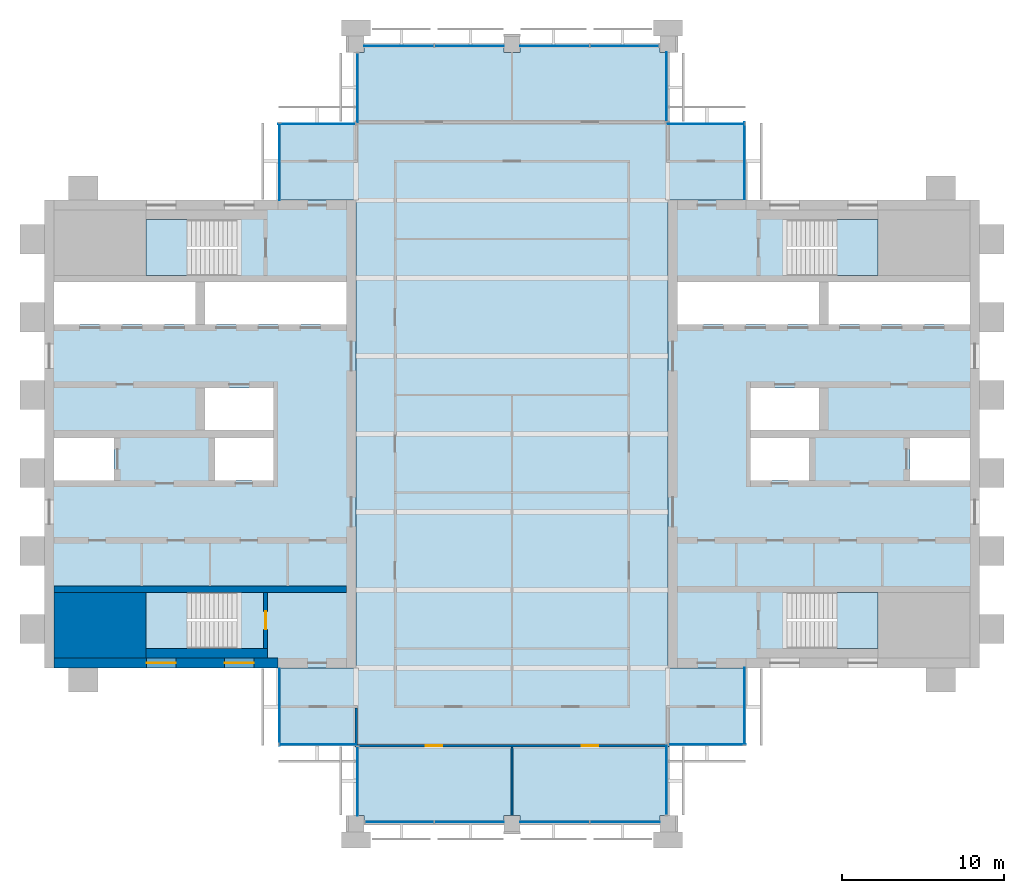
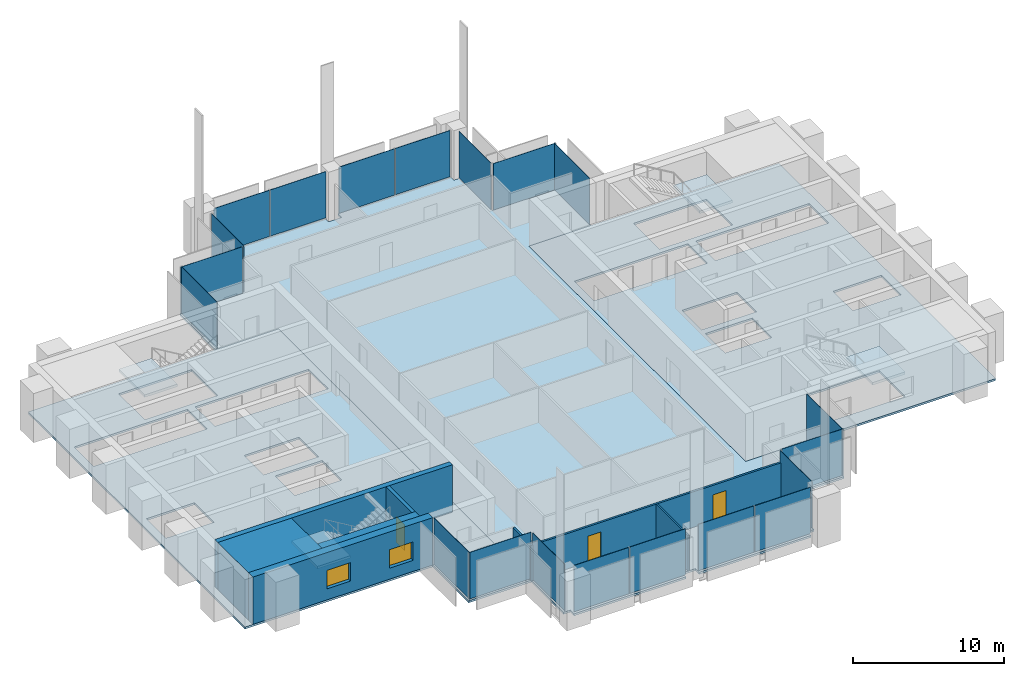
# One storey, part 7 of 12: 20 plates, 8 walls, 7 slabs, 3 doors, 2 windows, 5 openings, 18 elements without a shape of their own.
"""IFC4 building model written with IfcOpenShell, lengths in metres."""

from ifc_helpers import new_model, si_unit, direction, frame, frame_2d, origin, origin_2d, place, context, subcontext, project, spatial, polyline, rectangle, outline, extrude, material, layer, layer_set, type_object, element, fill, aggregate, save


model = new_model("IFC4")

# Units and contexts
model_context = context("Model", 3, precision=1e-05, world=origin(), true_north=direction((0.0, 1.0)))
body_context = subcontext(model_context, "Body", "Model", "MODEL_VIEW")
ifc_project = project(units=[si_unit("LENGTHUNIT", "METRE"), si_unit("AREAUNIT", "SQUARE_METRE"), si_unit("VOLUMEUNIT", "CUBIC_METRE"), si_unit("PLANEANGLEUNIT", "RADIAN"), si_unit("MASSUNIT", "GRAM", prefix="KILO")], contexts=[model_context])

# Site, building, storey
site_placement = place(None, origin())
site = spatial("IfcSite", under=ifc_project, at=site_placement, CompositionType="ELEMENT")
building_placement = place(site_placement, origin())
building = spatial("IfcBuilding", under=site, at=building_placement, Name="Baori Bourse Tower", CompositionType="ELEMENT")
storey_placement = place(building_placement, frame((0.0, 0.0, 306.300048828125)))
storey = spatial("IfcBuildingStorey", under=building, at=storey_placement, Name="L67", CompositionType="ELEMENT", Elevation=306.300048828125)

# Curtain wall, plate
ifc_material_1 = material(Name="Pale anodised aluminium", Category="aluminium")
curtain_wall_type_1 = type_object("IfcCurtainWallType", Name="CW2 Curtain wall", PredefinedType="NOTDEFINED", material=ifc_material_1)
curtain_wall_1_placement = place(storey_placement, origin())
curtain_wall_1 = element("IfcCurtainWall", 1, at=curtain_wall_1_placement, inside=storey, type_object=curtain_wall_type_1, Name="Curtain wall CW2 L67 1", PredefinedType="NOTDEFINED")
ifc_material_2 = material(Name="Clear glass", Category="glass")
ifc_layer_1 = layer(ifc_material_2, 0.030029296875)
ifc_layer_set_1 = layer_set([ifc_layer_1], Name="CW2 Curtain wall panel")
plate_type_1 = type_object("IfcPlateType", Name="CW2 Curtain wall panel", PredefinedType="CURTAIN_PANEL", material=ifc_layer_set_1)
plate_1_placement = place(storey_placement, frame((43.110107421875, 40.827392578125, 0.06982421875), z_axis=(0.0, 0.0, 1.0), x_axis=(0.0, 1.0, 0.0)))
plate_1 = element("IfcPlate", 2, at=plate_1_placement, type_object=plate_type_1, Name="Curtain wall CW2 panel", PredefinedType="CURTAIN_PANEL", context=body_context, shape_type="SweptSolid", body=[
    extrude(rectangle(XDim=4.7451171875, YDim=0.030029296875, at=origin_2d()), origin(), (0.0, 0.0, 1.0), 3.77001953125),
])
aggregate(curtain_wall_1, [plate_1])

curtain_wall_2_placement = place(storey_placement, origin())
curtain_wall_2 = element("IfcCurtainWall", 3, at=curtain_wall_2_placement, inside=storey, type_object=curtain_wall_type_1, Name="Curtain wall CW2 L67 2", PredefinedType="NOTDEFINED")
plate_2_placement = place(storey_placement, frame((40.7724609375, 43.110107421875, 0.06982421875), z_axis=(0.0, 0.0, 1.0), x_axis=(-1.0, 0.0, 0.0)))
plate_2 = element("IfcPlate", 4, at=plate_2_placement, type_object=plate_type_1, Name="Curtain wall CW2 panel", PredefinedType="CURTAIN_PANEL", context=body_context, shape_type="SweptSolid", body=[
    extrude(rectangle(XDim=4.7451171875, YDim=0.030029296875, at=origin_2d()), origin(), (0.0, 0.0, 1.0), 3.77001953125),
])
aggregate(curtain_wall_2, [plate_2])

curtain_wall_3_placement = place(storey_placement, origin())
curtain_wall_3 = element("IfcCurtainWall", 5, at=curtain_wall_3_placement, inside=storey, type_object=curtain_wall_type_1, Name="Curtain wall CW2 L67 3", PredefinedType="NOTDEFINED")
plate_3_placement = place(storey_placement, frame((38.31005859375, 45.37744140625, 0.06982421875), z_axis=(0.0, 0.0, 1.0), x_axis=(0.0, 1.0, 0.0)))
plate_3 = element("IfcPlate", 6, at=plate_3_placement, type_object=plate_type_1, Name="Curtain wall CW2 panel", PredefinedType="CURTAIN_PANEL", context=body_context, shape_type="SweptSolid", body=[
    extrude(rectangle(XDim=4.2451171875, YDim=0.030029296875, at=origin_2d()), origin(), (0.0, 0.0, 1.0), 3.77001953125),
])
aggregate(curtain_wall_3, [plate_3])

curtain_wall_4_placement = place(storey_placement, origin())
curtain_wall_4 = element("IfcCurtainWall", 7, at=curtain_wall_4_placement, inside=storey, type_object=curtain_wall_type_1, Name="Curtain wall CW2 L67 5", PredefinedType="NOTDEFINED")
plate_4_placement = place(storey_placement, frame((19.2900390625, 45.322509765625, 0.06982421875), z_axis=(0.0, 0.0, 1.0), x_axis=(0.0, -1.0, 0.0)))
plate_4 = element("IfcPlate", 8, at=plate_4_placement, type_object=plate_type_1, Name="Curtain wall CW2 panel", PredefinedType="CURTAIN_PANEL", context=body_context, shape_type="SweptSolid", body=[
    extrude(rectangle(XDim=4.2451171875, YDim=0.030029296875, at=origin_2d()), origin(), (0.0, 0.0, 1.0), 3.77001953125),
])
aggregate(curtain_wall_4, [plate_4])

curtain_wall_5_placement = place(storey_placement, origin())
curtain_wall_5 = element("IfcCurtainWall", 9, at=curtain_wall_5_placement, inside=storey, type_object=curtain_wall_type_1, Name="Curtain wall CW2 L67 6", PredefinedType="NOTDEFINED")
plate_5_placement = place(storey_placement, frame((16.7724609375, 43.110107421875, 0.06982421875), z_axis=(0.0, 0.0, 1.0), x_axis=(-1.0, 0.0, 0.0)))
plate_5 = element("IfcPlate", 10, at=plate_5_placement, type_object=plate_type_1, Name="Curtain wall CW2 panel", PredefinedType="CURTAIN_PANEL", context=body_context, shape_type="SweptSolid", body=[
    extrude(rectangle(XDim=4.7451171875, YDim=0.030029296875, at=origin_2d()), origin(), (0.0, 0.0, 1.0), 3.77001953125),
])
aggregate(curtain_wall_5, [plate_5])

curtain_wall_6_placement = place(storey_placement, origin())
curtain_wall_6 = element("IfcCurtainWall", 11, at=curtain_wall_6_placement, inside=storey, type_object=curtain_wall_type_1, Name="Curtain wall CW2 L67 7", PredefinedType="NOTDEFINED")
plate_6_placement = place(storey_placement, frame((14.489990234375, 40.7724609375, 0.06982421875), z_axis=(0.0, 0.0, 1.0), x_axis=(0.0, -1.0, 0.0)))
plate_6 = element("IfcPlate", 12, at=plate_6_placement, type_object=plate_type_1, Name="Curtain wall CW2 panel", PredefinedType="CURTAIN_PANEL", context=body_context, shape_type="SweptSolid", body=[
    extrude(rectangle(XDim=4.7451171875, YDim=0.030029296875, at=origin_2d()), origin(), (0.0, 0.0, 1.0), 3.77001953125),
])
aggregate(curtain_wall_6, [plate_6])

curtain_wall_7_placement = place(storey_placement, origin())
curtain_wall_7 = element("IfcCurtainWall", 13, at=curtain_wall_7_placement, inside=storey, type_object=curtain_wall_type_1, Name="Curtain wall CW2 L67 8", PredefinedType="NOTDEFINED")
plate_7_placement = place(storey_placement, frame((14.489990234375, 7.172607421875, 0.06982421875), z_axis=(0.0, 0.0, 1.0), x_axis=(0.0, -1.0, 0.0)))
plate_7 = element("IfcPlate", 14, at=plate_7_placement, type_object=plate_type_1, Name="Curtain wall CW2 panel", PredefinedType="CURTAIN_PANEL", context=body_context, shape_type="SweptSolid", body=[
    extrude(rectangle(XDim=4.7451171875, YDim=0.030029296875, at=origin_2d()), origin(), (0.0, 0.0, 1.0), 3.77001953125),
])
aggregate(curtain_wall_7, [plate_7])

curtain_wall_8_placement = place(storey_placement, origin())
curtain_wall_8 = element("IfcCurtainWall", 15, at=curtain_wall_8_placement, inside=storey, type_object=curtain_wall_type_1, Name="Curtain wall CW2 L67 9", PredefinedType="NOTDEFINED")
plate_8_placement = place(storey_placement, frame((16.827392578125, 4.889892578125, 0.06982421875), z_axis=(0.0, 0.0, 1.0), x_axis=(1.0, 0.0, 0.0)))
plate_8 = element("IfcPlate", 16, at=plate_8_placement, type_object=plate_type_1, Name="Curtain wall CW2 panel", PredefinedType="CURTAIN_PANEL", context=body_context, shape_type="SweptSolid", body=[
    extrude(rectangle(XDim=4.7451171875, YDim=0.030029296875, at=origin_2d()), origin(), (0.0, 0.0, 1.0), 3.77001953125),
])
aggregate(curtain_wall_8, [plate_8])

curtain_wall_9_placement = place(storey_placement, origin())
curtain_wall_9 = element("IfcCurtainWall", 17, at=curtain_wall_9_placement, inside=storey, type_object=curtain_wall_type_1, Name="Curtain wall CW2 L67 10", PredefinedType="NOTDEFINED")
plate_9_placement = place(storey_placement, frame((19.2900390625, 2.62255859375, 0.06982421875), z_axis=(0.0, 0.0, 1.0), x_axis=(0.0, -1.0, 0.0)))
plate_9 = element("IfcPlate", 18, at=plate_9_placement, type_object=plate_type_1, Name="Curtain wall CW2 panel", PredefinedType="CURTAIN_PANEL", context=body_context, shape_type="SweptSolid", body=[
    extrude(rectangle(XDim=4.2451171875, YDim=0.030029296875, at=origin_2d()), origin(), (0.0, 0.0, 1.0), 3.77001953125),
])
aggregate(curtain_wall_9, [plate_9])

curtain_wall_10_placement = place(storey_placement, origin())
curtain_wall_10 = element("IfcCurtainWall", 19, at=curtain_wall_10_placement, inside=storey, type_object=curtain_wall_type_1, Name="Curtain wall CW2 L67 12", PredefinedType="NOTDEFINED")
plate_10_placement = place(storey_placement, frame((38.31005859375, 2.677490234375, 0.06982421875), z_axis=(0.0, 0.0, 1.0), x_axis=(0.0, 1.0, 0.0)))
plate_10 = element("IfcPlate", 20, at=plate_10_placement, type_object=plate_type_1, Name="Curtain wall CW2 panel", PredefinedType="CURTAIN_PANEL", context=body_context, shape_type="SweptSolid", body=[
    extrude(rectangle(XDim=4.2451171875, YDim=0.030029296875, at=origin_2d()), origin(), (0.0, 0.0, 1.0), 3.77001953125),
])
aggregate(curtain_wall_10, [plate_10])

curtain_wall_11_placement = place(storey_placement, origin())
curtain_wall_11 = element("IfcCurtainWall", 21, at=curtain_wall_11_placement, inside=storey, type_object=curtain_wall_type_1, Name="Curtain wall CW2 L67 13", PredefinedType="NOTDEFINED")
plate_11_placement = place(storey_placement, frame((40.827392578125, 4.889892578125, 0.06982421875), z_axis=(0.0, 0.0, 1.0), x_axis=(1.0, 0.0, 0.0)))
plate_11 = element("IfcPlate", 22, at=plate_11_placement, type_object=plate_type_1, Name="Curtain wall CW2 panel", PredefinedType="CURTAIN_PANEL", context=body_context, shape_type="SweptSolid", body=[
    extrude(rectangle(XDim=4.7451171875, YDim=0.030029296875, at=origin_2d()), origin(), (0.0, 0.0, 1.0), 3.77001953125),
])
aggregate(curtain_wall_11, [plate_11])

curtain_wall_12_placement = place(storey_placement, origin())
curtain_wall_12 = element("IfcCurtainWall", 23, at=curtain_wall_12_placement, inside=storey, type_object=curtain_wall_type_1, Name="Curtain wall CW2 L67 14", PredefinedType="NOTDEFINED")
plate_12_placement = place(storey_placement, frame((43.110107421875, 7.2275390625, 0.06982421875), z_axis=(0.0, 0.0, 1.0), x_axis=(0.0, 1.0, 0.0)))
plate_12 = element("IfcPlate", 24, at=plate_12_placement, type_object=plate_type_1, Name="Curtain wall CW2 panel", PredefinedType="CURTAIN_PANEL", context=body_context, shape_type="SweptSolid", body=[
    extrude(rectangle(XDim=4.7451171875, YDim=0.030029296875, at=origin_2d()), origin(), (0.0, 0.0, 1.0), 3.77001953125),
])
aggregate(curtain_wall_12, [plate_12])

# Curtain wall, plates
ifc_material_3 = material(Name="Pale anodised aluminium", Category="aluminium")
curtain_wall_type_2 = type_object("IfcCurtainWallType", Name="CW5 Curtain wall", PredefinedType="NOTDEFINED", material=ifc_material_3)
curtain_wall_13_placement = place(storey_placement, origin())
curtain_wall_13 = element("IfcCurtainWall", 25, at=curtain_wall_13_placement, inside=storey, type_object=curtain_wall_type_2, Name="Curtain wall CW5 L67 4", PredefinedType="NOTDEFINED")
ifc_material_4 = material(Name="Clear glass", Category="glass")
ifc_layer_2 = layer(ifc_material_4, 0.035888671875)
ifc_layer_set_2 = layer_set([ifc_layer_2], Name="CW5 Curtain wall panel")
plate_type_2 = type_object("IfcPlateType", Name="CW5 Curtain wall panel", PredefinedType="CURTAIN_PANEL", material=ifc_layer_set_2)
plate_13_placement = place(storey_placement, frame((35.733642578125, 47.889892578125, 0.0849609375), z_axis=(0.0, 0.0, 1.0), x_axis=(-1.0, 0.0, 0.0)))
plate_13 = element("IfcPlate", 26, at=plate_13_placement, type_object=plate_type_2, Name="Curtain wall CW5 panel", PredefinedType="CURTAIN_PANEL", context=body_context, shape_type="SweptSolid", body=[
    extrude(rectangle(XDim=4.202392578125, YDim=0.035888671875, at=origin_2d()), origin(), (0.0, 0.0, 1.0), 3.7548828125),
])
plate_14_placement = place(storey_placement, frame((31.433837890625, 47.889892578125, 0.0849609375), z_axis=(0.0, 0.0, 1.0), x_axis=(-1.0, 0.0, 0.0)))
plate_14 = element("IfcPlate", 27, at=plate_14_placement, type_object=plate_type_2, Name="Curtain wall CW5 panel", PredefinedType="CURTAIN_PANEL", context=body_context, shape_type="SweptSolid", body=[
    extrude(rectangle(XDim=4.267578125, YDim=0.035888671875, at=origin_2d()), origin(), (0.0, 0.0, 1.0), 3.7548828125),
])
plate_15_placement = place(storey_placement, frame((26.166259765625, 47.889892578125, 0.0849609375), z_axis=(0.0, 0.0, 1.0), x_axis=(-1.0, 0.0, 0.0)))
plate_15 = element("IfcPlate", 28, at=plate_15_placement, type_object=plate_type_2, Name="Curtain wall CW5 panel", PredefinedType="CURTAIN_PANEL", context=body_context, shape_type="SweptSolid", body=[
    extrude(rectangle(XDim=4.267578125, YDim=0.035888671875, at=origin_2d()), origin(), (0.0, 0.0, 1.0), 3.7548828125),
])
plate_16_placement = place(storey_placement, frame((21.833740234375, 47.889892578125, 0.0849609375), z_axis=(0.0, 0.0, 1.0), x_axis=(-1.0, 0.0, 0.0)))
plate_16 = element("IfcPlate", 29, at=plate_16_placement, type_object=plate_type_2, Name="Curtain wall CW5 panel", PredefinedType="CURTAIN_PANEL", context=body_context, shape_type="SweptSolid", body=[
    extrude(rectangle(XDim=4.267578125, YDim=0.035888671875, at=origin_2d()), origin(), (0.0, 0.0, 1.0), 3.7548828125),
])
aggregate(curtain_wall_13, [plate_13, plate_14, plate_15, plate_16])

curtain_wall_14_placement = place(storey_placement, origin())
curtain_wall_14 = element("IfcCurtainWall", 30, at=curtain_wall_14_placement, inside=storey, type_object=curtain_wall_type_2, Name="Curtain wall CW5 L67 11", PredefinedType="NOTDEFINED")
plate_17_placement = place(storey_placement, frame((21.8662109375, 0.110107421875, 0.0849609375), z_axis=(0.0, 0.0, 1.0), x_axis=(1.0, 0.0, 0.0)))
plate_17 = element("IfcPlate", 31, at=plate_17_placement, type_object=plate_type_2, Name="Curtain wall CW5 panel", PredefinedType="CURTAIN_PANEL", context=body_context, shape_type="SweptSolid", body=[
    extrude(rectangle(XDim=4.202392578125, YDim=0.035888671875, at=origin_2d()), origin(), (0.0, 0.0, 1.0), 3.7548828125),
])
plate_18_placement = place(storey_placement, frame((26.166259765625, 0.110107421875, 0.0849609375), z_axis=(0.0, 0.0, 1.0), x_axis=(1.0, 0.0, 0.0)))
plate_18 = element("IfcPlate", 32, at=plate_18_placement, type_object=plate_type_2, Name="Curtain wall CW5 panel", PredefinedType="CURTAIN_PANEL", context=body_context, shape_type="SweptSolid", body=[
    extrude(rectangle(XDim=4.267578125, YDim=0.035888671875, at=origin_2d()), origin(), (0.0, 0.0, 1.0), 3.7548828125),
])
plate_19_placement = place(storey_placement, frame((31.433837890625, 0.110107421875, 0.0849609375), z_axis=(0.0, 0.0, 1.0), x_axis=(1.0, 0.0, 0.0)))
plate_19 = element("IfcPlate", 33, at=plate_19_placement, type_object=plate_type_2, Name="Curtain wall CW5 panel", PredefinedType="CURTAIN_PANEL", context=body_context, shape_type="SweptSolid", body=[
    extrude(rectangle(XDim=4.267578125, YDim=0.035888671875, at=origin_2d()), origin(), (0.0, 0.0, 1.0), 3.7548828125),
])
plate_20_placement = place(storey_placement, frame((35.766357421875, 0.110107421875, 0.0849609375), z_axis=(0.0, 0.0, 1.0), x_axis=(1.0, 0.0, 0.0)))
plate_20 = element("IfcPlate", 34, at=plate_20_placement, type_object=plate_type_2, Name="Curtain wall CW5 panel", PredefinedType="CURTAIN_PANEL", context=body_context, shape_type="SweptSolid", body=[
    extrude(rectangle(XDim=4.267578125, YDim=0.035888671875, at=origin_2d()), origin(), (0.0, 0.0, 1.0), 3.7548828125),
])
aggregate(curtain_wall_14, [plate_17, plate_18, plate_19, plate_20])

# Slabs
ifc_material_5 = material(Name="Concrete f'c 50 MPa", Category="concrete")
ifc_layer_3 = layer(ifc_material_5, 0.159912109375)
ifc_layer_set_3 = layer_set([ifc_layer_3], Name="Core slab 160")
slab_type_1 = type_object("IfcSlabType", Name="Core slab 160", PredefinedType="FLOOR", material=ifc_layer_set_3)
slab_1_placement = place(storey_placement, frame((0.0, 0.0, -0.16015625)))
element("IfcSlab", 35, at=slab_1_placement, inside=storey, type_object=slab_type_1, Name="Core floor slab W01", PredefinedType="FLOOR", context=body_context, shape_type="SweptSolid", body=[
    extrude(outline(polyline([(19.199951171875, 38.39990234375), (0.0, 38.39990234375), (0.0, 9.60009765625), (19.199951171875, 9.60009765625), (19.199951171875, 38.39990234375)]), holes=[polyline([(9.89990234375, 33.35009765625), (18.60009765625, 33.35009765625), (18.60009765625, 30.75), (9.89990234375, 30.75), (9.89990234375, 33.35009765625)]), polyline([(10.5, 21.14990234375), (10.5, 23.75), (14.10009765625, 23.75), (14.10009765625, 21.14990234375), (10.5, 21.14990234375)]), polyline([(14.10009765625, 24.25), (9.89990234375, 24.25), (9.89990234375, 26.85009765625), (14.10009765625, 26.85009765625), (14.10009765625, 24.25)]), polyline([(6.25, 14.25), (11.84912109375, 14.25), (11.84912109375, 10.800048828125), (6.25, 10.800048828125), (6.25, 14.25)]), polyline([(11.84912109375, 37.199951171875), (11.84912109375, 33.75), (6.25, 33.75), (6.25, 37.199951171875), (11.84912109375, 37.199951171875)]), polyline([(0.60009765625, 30.75), (0.60009765625, 33.35009765625), (9.300048828125, 33.35009765625), (9.300048828125, 30.75), (0.60009765625, 30.75)]), polyline([(4.300048828125, 23.75), (4.300048828125, 21.14990234375), (0.60009765625, 21.14990234375), (0.60009765625, 23.75), (4.300048828125, 23.75)])]), origin(), (0.0, 0.0, 1.0), 0.16015625),
])
slab_2_placement = place(storey_placement, frame((0.0, 0.0, -0.16015625)))
element("IfcSlab", 36, at=slab_2_placement, inside=storey, type_object=slab_type_1, Name="Core floor slab E01", PredefinedType="FLOOR", context=body_context, shape_type="SweptSolid", body=[
    extrude(outline(polyline([(57.60009765625, 9.60009765625), (57.60009765625, 38.39990234375), (38.39990234375, 38.39990234375), (38.39990234375, 9.60009765625), (57.60009765625, 9.60009765625)]), holes=[polyline([(48.300048828125, 33.35009765625), (57.0, 33.35009765625), (57.0, 30.75), (48.300048828125, 30.75), (48.300048828125, 33.35009765625)]), polyline([(57.0, 21.14990234375), (53.300048828125, 21.14990234375), (53.300048828125, 23.75), (57.0, 23.75), (57.0, 21.14990234375)]), polyline([(45.750732421875, 14.25), (51.35009765625, 14.25), (51.35009765625, 10.800048828125), (45.750732421875, 10.800048828125), (45.750732421875, 14.25)]), polyline([(51.35009765625, 37.199951171875), (51.35009765625, 33.75), (45.750732421875, 33.75), (45.750732421875, 37.199951171875), (51.35009765625, 37.199951171875)]), polyline([(43.5, 24.25), (43.5, 26.85009765625), (47.699951171875, 26.85009765625), (47.699951171875, 24.25), (43.5, 24.25)]), polyline([(47.699951171875, 33.35009765625), (47.699951171875, 30.75), (39.0, 30.75), (39.0, 33.35009765625), (47.699951171875, 33.35009765625)]), polyline([(43.5, 23.75), (47.10009765625, 23.75), (47.10009765625, 21.14990234375), (43.5, 21.14990234375), (43.5, 23.75)])]), origin(), (0.0, 0.0, 1.0), 0.16015625),
])

# Stair, slab
ifc_material_6 = material(Name="Concrete f'c 50 MPa", Category="concrete")
stair_type = type_object("IfcStairType", Name="Core stair", PredefinedType="HALF_TURN_STAIR", material=ifc_material_6)
stair_1_placement = place(storey_placement, origin())
stair_1 = element("IfcStair", 37, at=stair_1_placement, inside=storey, type_object=stair_type, Name="L67 Stair WA", PredefinedType="HALF_TURN_STAIR")
ifc_material_7 = material(Name="Concrete f'c 50 MPa", Category="concrete")
slab_type_2 = type_object("IfcSlabType", Name="Core stair landing", PredefinedType="LANDING", material=ifc_material_7)
slab_3_placement = place(storey_placement, frame((0.0, 0.0, 1.800048828125)))
slab_3 = element("IfcSlab", 38, at=slab_3_placement, type_object=slab_type_2, Name="ST1 landing 1", PredefinedType="LANDING", context=body_context, shape_type="SweptSolid", body=[
    extrude(outline(polyline([(8.77001953125, 14.25), (6.25, 14.25), (6.25, 10.800048828125), (8.77001953125, 10.800048828125), (8.77001953125, 14.25)])), origin(), (0.0, 0.0, 1.0), 0.199951171875),
])
aggregate(stair_1, [slab_3])

stair_2_placement = place(storey_placement, origin())
stair_2 = element("IfcStair", 39, at=stair_2_placement, inside=storey, type_object=stair_type, Name="L67 Stair WB", PredefinedType="HALF_TURN_STAIR")
slab_4_placement = place(storey_placement, frame((0.0, 0.0, 1.800048828125)))
slab_4 = element("IfcSlab", 40, at=slab_4_placement, type_object=slab_type_2, Name="ST2 landing 1", PredefinedType="LANDING", context=body_context, shape_type="SweptSolid", body=[
    extrude(outline(polyline([(8.77001953125, 37.199951171875), (6.25, 37.199951171875), (6.25, 33.75), (8.77001953125, 33.75), (8.77001953125, 37.199951171875)])), origin(), (0.0, 0.0, 1.0), 0.199951171875),
])
aggregate(stair_2, [slab_4])

stair_3_placement = place(storey_placement, origin())
stair_3 = element("IfcStair", 41, at=stair_3_placement, inside=storey, type_object=stair_type, Name="L67 Stair EA", PredefinedType="HALF_TURN_STAIR")
slab_5_placement = place(storey_placement, frame((0.0, 0.0, 1.800048828125)))
slab_5 = element("IfcSlab", 42, at=slab_5_placement, type_object=slab_type_2, Name="ST3 landing 1", PredefinedType="LANDING", context=body_context, shape_type="SweptSolid", body=[
    extrude(outline(polyline([(48.830078125, 10.800048828125), (51.35009765625, 10.800048828125), (51.35009765625, 14.25), (48.830078125, 14.25), (48.830078125, 10.800048828125)])), origin(), (0.0, 0.0, 1.0), 0.199951171875),
])
aggregate(stair_3, [slab_5])

stair_4_placement = place(storey_placement, origin())
stair_4 = element("IfcStair", 43, at=stair_4_placement, inside=storey, type_object=stair_type, Name="L67 Stair EB", PredefinedType="HALF_TURN_STAIR")
slab_6_placement = place(storey_placement, frame((0.0, 0.0, 1.800048828125)))
slab_6 = element("IfcSlab", 44, at=slab_6_placement, type_object=slab_type_2, Name="ST4 landing 1", PredefinedType="LANDING", context=body_context, shape_type="SweptSolid", body=[
    extrude(outline(polyline([(48.830078125, 33.75), (51.35009765625, 33.75), (51.35009765625, 37.199951171875), (48.830078125, 37.199951171875), (48.830078125, 33.75)])), origin(), (0.0, 0.0, 1.0), 0.199951171875),
])
aggregate(stair_4, [slab_6])

# Slab
ifc_material_8 = material(Name="Concrete f'c 40 MPa", Category="concrete")
ifc_layer_4 = layer(ifc_material_8, 0.159912109375)
ifc_layer_set_4 = layer_set([ifc_layer_4], Name="Floor slab 160")
slab_type_3 = type_object("IfcSlabType", Name="Floor slab 160", PredefinedType="FLOOR", material=ifc_layer_set_4)
slab_7_placement = place(storey_placement, frame((0.0, 0.0, -0.16015625)))
element("IfcSlab", 45, at=slab_7_placement, inside=storey, type_object=slab_type_3, Name="Floor slab L67", PredefinedType="FLOOR", context=body_context, shape_type="SweptSolid", body=[
    extrude(outline(polyline([(19.199951171875, 4.800048828125), (14.39990234375, 4.800048828125), (14.39990234375, 9.60009765625), (19.199951171875, 9.60009765625), (19.199951171875, 38.39990234375), (14.39990234375, 38.39990234375), (14.39990234375, 43.199951171875), (19.199951171875, 43.199951171875), (19.199951171875, 47.5), (19.699951171875, 47.5), (19.699951171875, 48.0), (28.300048828125, 48.0), (28.300048828125, 47.5), (29.300048828125, 47.5), (29.300048828125, 48.0), (37.89990234375, 48.0), (37.89990234375, 47.5), (38.39990234375, 47.5), (38.39990234375, 43.199951171875), (43.199951171875, 43.199951171875), (43.199951171875, 38.39990234375), (38.39990234375, 38.39990234375), (38.39990234375, 9.60009765625), (43.199951171875, 9.60009765625), (43.199951171875, 4.800048828125), (38.39990234375, 4.800048828125), (38.39990234375, 0.5), (37.89990234375, 0.5), (37.89990234375, 0.0), (29.300048828125, 0.0), (29.300048828125, 0.5), (28.300048828125, 0.5), (28.300048828125, 0.0), (19.699951171875, 0.0), (19.699951171875, 0.5), (19.199951171875, 0.5), (19.199951171875, 4.800048828125)])), origin(), (0.0, 0.0, 1.0), 0.16015625),
])

# Wall
ifc_material_9 = material(Name="Concrete f'c 40 MPa", Category="concrete")
wall_type_1 = type_object("IfcWallType", Name="Core corner block f'c 40", PredefinedType="SHEAR", material=ifc_material_9)
wall_1_placement = place(storey_placement, frame((0.60009765625, 12.22509765625, 0.0), z_axis=(0.0, 0.0, 1.0), x_axis=(1.0, 0.0, 0.0)))
element("IfcWall", 46, at=wall_1_placement, inside=storey, type_object=wall_type_1, Name="Core wall W05", PredefinedType="SHEAR", context=body_context, shape_type="SweptSolid", body=[
    extrude(rectangle(XDim=5.64990234375, YDim=4.050048828125, at=frame_2d((2.824951171875, 0.0))), origin(), (0.0, 0.0, 1.0), 3.83984375),
])

# Wall, openings, windows
ifc_material_10 = material(Name="Concrete f'c 40 MPa", Category="concrete")
ifc_layer_5 = layer(ifc_material_10, 0.60009765625)
ifc_layer_set_5 = layer_set([ifc_layer_5], Name="Core wall 600 f'c 40")
wall_type_2 = type_object("IfcWallType", Name="Core wall 600 f'c 40", PredefinedType="SHEAR", material=ifc_layer_set_5)
wall_2_placement = place(storey_placement, frame((14.39990234375, 9.89990234375, 0.0), z_axis=(0.0, 0.0, 1.0), x_axis=(-1.0, 0.0, 0.0)))
wall_2 = element("IfcWall", 47, at=wall_2_placement, inside=storey, type_object=wall_type_2, Name="Core wall W02", PredefinedType="SHEAR", context=body_context, shape_type="SweptSolid", body=[
    extrude(rectangle(XDim=13.7998046875, YDim=0.60009765625, at=frame_2d((6.89990234375, 0.0))), origin(), (0.0, 0.0, 1.0), 3.83984375),
])
opening_1_placement = place(wall_2_placement, frame((6.300048828125, 0.0, 0.89990234375)))
opening_1 = element("IfcOpeningElement", 48, at=opening_1_placement, cuts=wall_2, Name="Opening L67-KW103", PredefinedType="OPENING", context=body_context, shape_type="SweptSolid", body=[
    extrude(rectangle(XDim=1.800048828125, YDim=1.5, at=frame_2d((0.89990234375, 0.75))), frame((0.0, 0.31005859375, 0.0), z_axis=(0.0, -1.0, 0.0), x_axis=(1.0, 0.0, 0.0)), (0.0, 0.0, 1.0), 0.6201171875),
])
opening_2_placement = place(wall_2_placement, frame((1.5, 0.0, 0.89990234375)))
opening_2 = element("IfcOpeningElement", 49, at=opening_2_placement, cuts=wall_2, Name="Opening L67-KW104", PredefinedType="OPENING", context=body_context, shape_type="SweptSolid", body=[
    extrude(rectangle(XDim=1.800048828125, YDim=1.5, at=frame_2d((0.89990234375, 0.75))), frame((0.0, 0.31005859375, 0.0), z_axis=(0.0, -1.0, 0.0), x_axis=(1.0, 0.0, 0.0)), (0.0, 0.0, 1.0), 0.6201171875),
])
ifc_material_11 = material(Name="Pale anodised aluminium", Category="aluminium")
window_type = type_object("IfcWindowType", Name="Stair window 1800 x 1500", PartitioningType="SINGLE_PANEL", PredefinedType="WINDOW", material=ifc_material_11)
window_1_placement = place(opening_1_placement, origin())
window_1 = element("IfcWindow", 50, at=window_1_placement, inside=storey, type_object=window_type, Name="Stair window W L67 3", OverallHeight=1.5, OverallWidth=1.800048828125, PartitioningType="SINGLE_PANEL", PredefinedType="WINDOW", context=body_context, shape_type="SweptSolid", body=[
    extrude(rectangle(XDim=1.800048828125, YDim=1.5, at=frame_2d((0.89990234375, 0.75))), frame((0.0, 0.030029296875, 0.0), z_axis=(0.0, -1.0, 0.0), x_axis=(1.0, 0.0, 0.0)), (0.0, 0.0, 1.0), 0.06005859375),
])
fill(opening_1, window_1)
window_2_placement = place(opening_2_placement, origin())
window_2 = element("IfcWindow", 51, at=window_2_placement, inside=storey, type_object=window_type, Name="Stair window W L67 4", OverallHeight=1.5, OverallWidth=1.800048828125, PartitioningType="SINGLE_PANEL", PredefinedType="WINDOW", context=body_context, shape_type="SweptSolid", body=[
    extrude(rectangle(XDim=1.800048828125, YDim=1.5, at=frame_2d((0.89990234375, 0.75))), frame((0.0, 0.030029296875, 0.0), z_axis=(0.0, -1.0, 0.0), x_axis=(1.0, 0.0, 0.0)), (0.0, 0.0, 1.0), 0.06005859375),
])
fill(opening_2, window_2)

# Wall, openings, doors
ifc_material_12 = material(Name="Gypsum board partition")
ifc_layer_6 = layer(ifc_material_12, 0.14990234375)
ifc_layer_set_6 = layer_set([ifc_layer_6], Name="Corridor partition 150")
wall_type_3 = type_object("IfcWallType", Name="Corridor partition 150", PredefinedType="PARTITIONING", material=ifc_layer_set_6)
wall_3_placement = place(storey_placement, frame((19.125, 4.800048828125, 0.0), z_axis=(0.0, 0.0, 1.0), x_axis=(1.0, 0.0, 0.0)))
wall_3 = element("IfcWall", 52, at=wall_3_placement, inside=storey, type_object=wall_type_3, Name="Partition", PredefinedType="PARTITIONING", context=body_context, shape_type="SweptSolid", body=[
    extrude(rectangle(XDim=19.35009765625, YDim=0.14990234375, at=frame_2d((9.675048828125, 0.0))), origin(), (0.0, 0.0, 1.0), 2.86962890625),
])
opening_3_placement = place(wall_3_placement, frame((4.375, 0.0, 0.0)))
opening_3 = element("IfcOpeningElement", 53, at=opening_3_placement, cuts=wall_3, Name="Opening L67-D01", PredefinedType="OPENING", context=body_context, shape_type="SweptSolid", body=[
    extrude(rectangle(XDim=1.0, YDim=2.10009765625, at=frame_2d((0.5, 1.050048828125))), frame((0.0, 0.0849609375, 0.0), z_axis=(0.0, -1.0, 0.0), x_axis=(1.0, 0.0, 0.0)), (0.0, 0.0, 1.0), 0.169921875),
])
opening_4_placement = place(wall_3_placement, frame((13.97509765625, 0.0, 0.0)))
opening_4 = element("IfcOpeningElement", 54, at=opening_4_placement, cuts=wall_3, Name="Opening L67-D02", PredefinedType="OPENING", context=body_context, shape_type="SweptSolid", body=[
    extrude(rectangle(XDim=1.0, YDim=2.10009765625, at=frame_2d((0.5, 1.050048828125))), frame((0.0, 0.0849609375, 0.0), z_axis=(0.0, -1.0, 0.0), x_axis=(1.0, 0.0, 0.0)), (0.0, 0.0, 1.0), 0.169921875),
])
ifc_material_13 = material(Name="Timber door leaf", Category="wood")
door_type_1 = type_object("IfcDoorType", Name="Door 1000 x 2100", OperationType="SINGLE_SWING_LEFT", PredefinedType="DOOR", material=ifc_material_13)
door_1_placement = place(opening_3_placement, origin())
door_1 = element("IfcDoor", 55, at=door_1_placement, inside=storey, type_object=door_type_1, Name="Door", OperationType="SINGLE_SWING_LEFT", OverallHeight=2.10009765625, OverallWidth=1.0, PredefinedType="DOOR", context=body_context, shape_type="SweptSolid", body=[
    extrude(rectangle(XDim=1.0, YDim=2.10009765625, at=frame_2d((0.5, 1.050048828125))), frame((0.0, 0.02490234375, 0.0), z_axis=(0.0, -1.0, 0.0), x_axis=(1.0, 0.0, 0.0)), (0.0, 0.0, 1.0), 0.050048828125),
])
fill(opening_3, door_1)
door_2_placement = place(opening_4_placement, origin())
door_2 = element("IfcDoor", 56, at=door_2_placement, inside=storey, type_object=door_type_1, Name="Door", OperationType="SINGLE_SWING_RIGHT", OverallHeight=2.10009765625, OverallWidth=1.0, PredefinedType="DOOR", context=body_context, shape_type="SweptSolid", body=[
    extrude(rectangle(XDim=1.0, YDim=2.10009765625, at=frame_2d((0.5, 1.050048828125))), frame((0.0, 0.02490234375, 0.0), z_axis=(0.0, -1.0, 0.0), x_axis=(1.0, 0.0, 0.0)), (0.0, 0.0, 1.0), 0.050048828125),
])
fill(opening_4, door_2)

# Walls
wall_4_placement = place(storey_placement, frame((19.199951171875, 4.875, 0.0), z_axis=(0.0, 0.0, 1.0), x_axis=(0.0, 1.0, 0.0)))
element("IfcWall", 57, at=wall_4_placement, inside=storey, type_object=wall_type_3, Name="Partition", PredefinedType="PARTITIONING", context=body_context, shape_type="SweptSolid", body=[
    extrude(rectangle(XDim=2.25, YDim=0.14990234375, at=frame_2d((1.125, 0.0))), origin(), (0.0, 0.0, 1.0), 2.86962890625),
])
ifc_material_14 = material(Name="Gypsum board partition")
ifc_layer_7 = layer(ifc_material_14, 0.125)
ifc_layer_set_7 = layer_set([ifc_layer_7], Name="Partition 125")
wall_type_4 = type_object("IfcWallType", Name="Partition 125", PredefinedType="PARTITIONING", material=ifc_layer_set_7)
wall_5_placement = place(storey_placement, frame((28.800048828125, 0.5, 0.0), z_axis=(0.0, 0.0, 1.0), x_axis=(0.0, 1.0, 0.0)))
element("IfcWall", 58, at=wall_5_placement, inside=storey, type_object=wall_type_4, Name="Partition", PredefinedType="PARTITIONING", context=body_context, shape_type="SweptSolid", body=[
    extrude(rectangle(XDim=4.22509765625, YDim=0.125, at=frame_2d((2.112548828125, 0.0))), origin(), (0.0, 0.0, 1.0), 2.86962890625),
])

# Wall, opening, door
ifc_material_15 = material(Name="Concrete f'c 40 MPa", Category="concrete")
ifc_layer_8 = layer(ifc_material_15, 0.25)
ifc_layer_set_8 = layer_set([ifc_layer_8], Name="Shaft wall 250 f'c 40")
wall_type_5 = type_object("IfcWallType", Name="Shaft wall 250 f'c 40", PredefinedType="SHEAR", material=ifc_layer_set_8)
wall_6_placement = place(storey_placement, frame((13.625, 10.800048828125, 0.0), z_axis=(0.0, 0.0, 1.0), x_axis=(0.0, 1.0, 0.0)))
wall_6 = element("IfcWall", 59, at=wall_6_placement, inside=storey, type_object=wall_type_5, Name="Core wall W07", PredefinedType="SHEAR", context=body_context, shape_type="SweptSolid", body=[
    extrude(rectangle(XDim=3.449951171875, YDim=0.25, at=frame_2d((1.72509765625, 0.0))), origin(), (0.0, 0.0, 1.0), 3.83984375),
])
opening_5_placement = place(wall_6_placement, frame((1.175048828125, 0.0, 0.0)))
opening_5 = element("IfcOpeningElement", 60, at=opening_5_placement, cuts=wall_6, Name="Opening L67-D101", PredefinedType="OPENING", context=body_context, shape_type="SweptSolid", body=[
    extrude(rectangle(XDim=1.10009765625, YDim=2.10009765625, at=frame_2d((0.550048828125, 1.050048828125))), frame((0.0, 0.135009765625, 0.0), z_axis=(0.0, -1.0, 0.0), x_axis=(1.0, 0.0, 0.0)), (0.0, 0.0, 1.0), 0.27001953125),
])
ifc_material_16 = material(Name="Painted steel door", Category="steel")
door_type_2 = type_object("IfcDoorType", Name="Stair door 1100", OperationType="SINGLE_SWING_LEFT", PredefinedType="DOOR", material=ifc_material_16)
door_3_placement = place(opening_5_placement, origin())
door_3 = element("IfcDoor", 61, at=door_3_placement, inside=storey, type_object=door_type_2, Name="Stair door A W L67", OperationType="SINGLE_SWING_LEFT", OverallHeight=2.10009765625, OverallWidth=1.10009765625, PredefinedType="DOOR", context=body_context, shape_type="SweptSolid", body=[
    extrude(rectangle(XDim=1.10009765625, YDim=2.10009765625, at=frame_2d((0.550048828125, 1.050048828125))), frame((0.0, 0.02490234375, 0.0), z_axis=(0.0, -1.0, 0.0), x_axis=(1.0, 0.0, 0.0)), (0.0, 0.0, 1.0), 0.050048828125),
])
fill(opening_5, door_3)

# Walls
ifc_material_17 = material(Name="Concrete f'c 40 MPa", Category="concrete")
ifc_layer_9 = layer(ifc_material_17, 0.39990234375)
ifc_layer_set_9 = layer_set([ifc_layer_9], Name="Shaft wall 400 f'c 40")
wall_type_6 = type_object("IfcWallType", Name="Shaft wall 400 f'c 40", PredefinedType="SHEAR", material=ifc_layer_set_9)
wall_7_placement = place(storey_placement, frame((0.60009765625, 14.449951171875, 0.0), z_axis=(0.0, 0.0, 1.0), x_axis=(1.0, 0.0, 0.0)))
element("IfcWall", 62, at=wall_7_placement, inside=storey, type_object=wall_type_6, Name="Core wall W08", PredefinedType="SHEAR", context=body_context, shape_type="SweptSolid", body=[
    extrude(rectangle(XDim=18.0, YDim=0.39990234375, at=frame_2d((9.0, 0.0))), origin(), (0.0, 0.0, 1.0), 3.83984375),
])
ifc_material_18 = material(Name="Concrete f'c 40 MPa", Category="concrete")
ifc_layer_10 = layer(ifc_material_18, 0.60009765625)
ifc_layer_set_10 = layer_set([ifc_layer_10], Name="Shaft wall 600 f'c 40")
wall_type_7 = type_object("IfcWallType", Name="Shaft wall 600 f'c 40", PredefinedType="SHEAR", material=ifc_layer_set_10)
wall_8_placement = place(storey_placement, frame((6.25, 10.5, 0.0), z_axis=(0.0, 0.0, 1.0), x_axis=(1.0, 0.0, 0.0)))
element("IfcWall", 63, at=wall_8_placement, inside=storey, type_object=wall_type_7, Name="Core wall W06", PredefinedType="SHEAR", context=body_context, shape_type="SweptSolid", body=[
    extrude(rectangle(XDim=7.5, YDim=0.60009765625, at=frame_2d((3.75, 0.0))), origin(), (0.0, 0.0, 1.0), 3.83984375),
])

save(model, "model.ifc")
